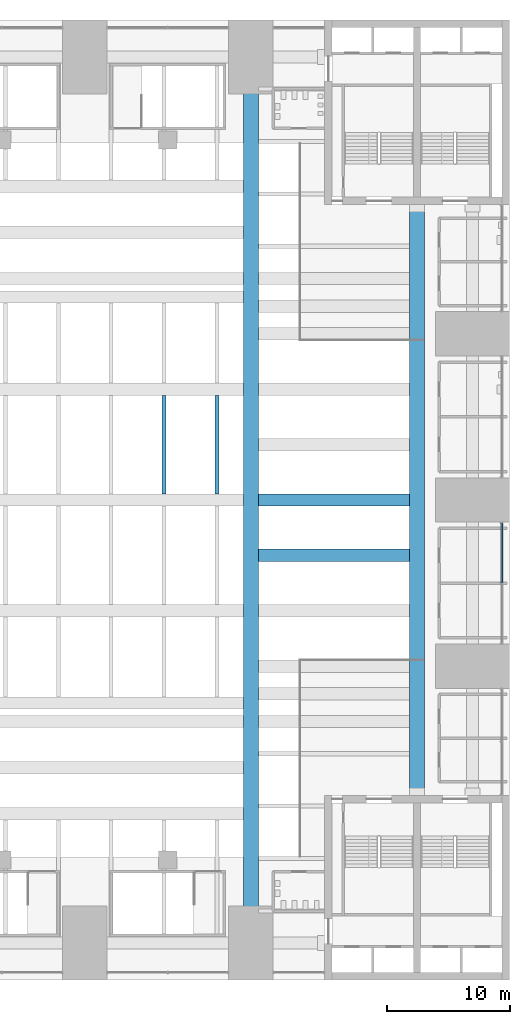
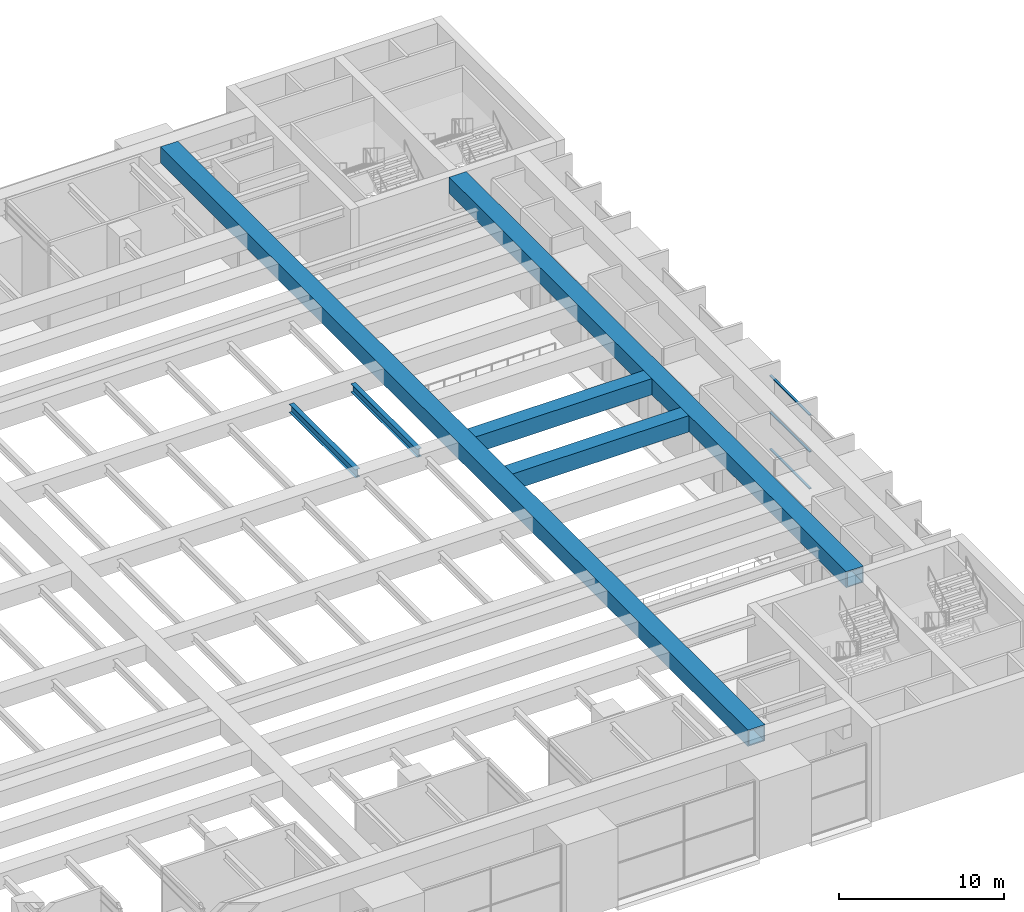
# One storey, part 15 of 45: 7 members, 2 beams, 1 element without a shape of its own.
"""IFC4 building model written with IfcOpenShell, lengths in metres."""

from ifc_helpers import new_model, si_unit, direction, frame, origin, origin_2d, place, context, subcontext, project, spatial, rectangle, hollow_rectangle, i_section, extrude, material, layer, layer_set, material_profile, profile_set, type_object, element, aggregate, save


model = new_model("IFC4")

# Units and contexts
model_context = context("Model", 3, precision=1e-05, world=origin(), true_north=direction((0.0, 1.0)))
body_context = subcontext(model_context, "Body", "Model", "MODEL_VIEW")
ifc_project = project(units=[si_unit("LENGTHUNIT", "METRE"), si_unit("AREAUNIT", "SQUARE_METRE"), si_unit("VOLUMEUNIT", "CUBIC_METRE"), si_unit("PLANEANGLEUNIT", "RADIAN"), si_unit("MASSUNIT", "GRAM", prefix="KILO")], contexts=[model_context])

# Site, building, storey
site_placement = place(None, origin())
site = spatial("IfcSite", under=ifc_project, at=site_placement, CompositionType="ELEMENT")
building_placement = place(site_placement, origin())
building = spatial("IfcBuilding", under=site, at=building_placement, Name="Corbelhall Arena Tower", CompositionType="ELEMENT")
storey_placement = place(building_placement, frame((0.0, 0.0, 37.0)))
storey = spatial("IfcBuildingStorey", under=building, at=storey_placement, Name="L05", CompositionType="ELEMENT", Elevation=37.0)

# Curtain wall, members
ifc_material_1 = material(Name="Aluminium black anodised", Category="aluminium")
ifc_layer = layer(ifc_material_1, 0.239990234375)
ifc_layer_set = layer_set([ifc_layer], Name="EV-CW4 Arena concourse glazing")
curtain_wall_type = type_object("IfcCurtainWallType", Name="EV-CW4 Arena concourse glazing", PredefinedType="NOTDEFINED", material=ifc_layer_set)
curtain_wall_placement = place(storey_placement, origin())
curtain_wall = element("IfcCurtainWall", 1, at=curtain_wall_placement, inside=storey, type_object=curtain_wall_type, Name="Curtain wall CW4", PredefinedType="NOTDEFINED")
ifc_material_profile_1 = material_profile(ifc_material_1, rectangle(XDim=0.14990234375, YDim=0.074951171875, at=origin_2d()))
ifc_profile_set_1 = profile_set([ifc_material_profile_1], Name="Aluminium black anodised")
member_type_1 = type_object("IfcMemberType", Name="EV-CW4-TRANSOM", PredefinedType="USERDEFINED", material=ifc_profile_set_1)
member_1_placement = place(storey_placement, frame((47.3798828125, -6.71240234375, 0.03759765625), z_axis=(0.0, 1.0, 0.0), x_axis=(-1.0, 0.0, 0.0)))
member_1 = element("IfcMember", 2, at=member_1_placement, type_object=member_type_1, Name="CW4 transom 2.1", ObjectType="transom", PredefinedType="USERDEFINED", context=body_context, shape_type="SweptSolid", body=[
    extrude(rectangle(XDim=0.14990234375, YDim=0.074951171875, at=origin_2d()), origin(), (0.0, 0.0, 1.0), 4.83740234375),
])
member_2_placement = place(storey_placement, frame((47.3798828125, -6.71240234375, 2.75), z_axis=(0.0, 1.0, 0.0), x_axis=(-1.0, 0.0, 0.0)))
member_2 = element("IfcMember", 3, at=member_2_placement, type_object=member_type_1, Name="CW4 transom 2.2", ObjectType="transom", PredefinedType="USERDEFINED", context=body_context, shape_type="SweptSolid", body=[
    extrude(rectangle(XDim=0.14990234375, YDim=0.074951171875, at=origin_2d()), origin(), (0.0, 0.0, 1.0), 4.83740234375),
])
member_3_placement = place(storey_placement, frame((47.3798828125, -6.71240234375, 5.46240234375), z_axis=(0.0, 1.0, 0.0), x_axis=(-1.0, 0.0, 0.0)))
member_3 = element("IfcMember", 4, at=member_3_placement, type_object=member_type_1, Name="CW4 transom 2.3", ObjectType="transom", PredefinedType="USERDEFINED", context=body_context, shape_type="SweptSolid", body=[
    extrude(rectangle(XDim=0.14990234375, YDim=0.074951171875, at=origin_2d()), origin(), (0.0, 0.0, 1.0), 4.83740234375),
])
aggregate(curtain_wall, [member_1, member_2, member_3])

# Beams
ifc_material_2 = material(Name="Steel ASTM A992 Gr50", Category="steel")
ifc_material_profile_2 = material_profile(ifc_material_2, i_section(OverallWidth=0.323974609375, OverallDepth=0.611083984375, WebThickness=0.0126953125, FlangeThickness=0.01904296875, at=origin_2d()))
ifc_profile_set_2 = profile_set([ifc_material_profile_2], Name="Steel ASTM A992 Gr50")
beam_type = type_object("IfcBeamType", Name="PO-BEAM-W24X104", PredefinedType="BEAM", material=ifc_profile_set_2)
for number, where, z_axis, x_axis, name in (
    (5, (19.949951171875, 0.5, 6.39453125), (0.0, 1.0, 0.0), (-1.0, 0.0, 0.0), "DECK BEAM BOT 34.5"),
    (6, (24.25, 0.5, 6.39453125), (0.0, 1.0, 0.0), (-1.0, 0.0, 0.0), "DECK BEAM BOT 34.6"),
):
    element("IfcBeam", number, at=place(storey_placement, frame(where, z_axis=z_axis, x_axis=x_axis)), inside=storey, type_object=beam_type, Name=name, PredefinedType="BEAM", context=body_context, shape_type="SweptSolid", body=[
        extrude(i_section(OverallWidth=0.323974609375, OverallDepth=0.611083984375, WebThickness=0.0126953125, FlangeThickness=0.01904296875, at=origin_2d()), origin(), (0.0, 0.0, 1.0), 8.0),
    ])

# Members
ifc_material_3 = material(Name="Steel ASTM A572 Gr50", Category="steel")
ifc_material_profile_3 = material_profile(ifc_material_3, hollow_rectangle(XDim=1.0, YDim=1.199951171875, WallThickness=0.06005859375, at=origin_2d()))
ifc_profile_set_3 = profile_set([ifc_material_profile_3], Name="Steel ASTM A572 Gr50")
member_type_2 = type_object("IfcMemberType", Name="PO-CHORD-1200X1000X60", PredefinedType="CHORD", material=ifc_profile_set_3)
for number, where, z_axis, x_axis, name in (
    (7, (27.60009765625, -4.5, 6.39990234375), (1.0, 0.0, 0.0), (0.0, 1.0, 0.0), "TRUSS SEC-S04.50-3 BOT CHORD"),
    (8, (27.60009765625, 0.0, 6.39990234375), (1.0, 0.0, 0.0), (0.0, 1.0, 0.0), "TRUSS SEC-N00.00-3 BOT CHORD"),
):
    element("IfcMember", number, at=place(storey_placement, frame(where, z_axis=z_axis, x_axis=x_axis)), inside=storey, type_object=member_type_2, Name=name, PredefinedType="CHORD", context=body_context, shape_type="SweptSolid", body=[
        extrude(hollow_rectangle(XDim=1.0, YDim=1.199951171875, WallThickness=0.06005859375, at=origin_2d()), origin(), (0.0, 0.0, 1.0), 12.2998046875),
    ])
ifc_material_profile_4 = material_profile(ifc_material_3, hollow_rectangle(XDim=1.199951171875, YDim=1.199951171875, WallThickness=0.080078125, at=origin_2d()))
ifc_profile_set_4 = profile_set([ifc_material_profile_4], Name="Steel ASTM A572 Gr50")
member_type_3 = type_object("IfcMemberType", Name="PO-CHORD-1200X1200X80", PredefinedType="CHORD", material=ifc_profile_set_4)
member_4_placement = place(storey_placement, frame((27.0, -35.5, 6.39990234375), z_axis=(0.0, 1.0, 0.0), x_axis=(-1.0, 0.0, 0.0)))
element("IfcMember", 9, at=member_4_placement, inside=storey, type_object=member_type_3, Name="TRUSS PRI-+27.0 BOT CHORD", PredefinedType="CHORD", context=body_context, shape_type="SweptSolid", body=[
    extrude(hollow_rectangle(XDim=1.199951171875, YDim=1.199951171875, WallThickness=0.080078125, at=origin_2d()), origin(), (0.0, 0.0, 1.0), 71.0),
])
member_5_placement = place(storey_placement, frame((40.5, -24.0, 6.39990234375), z_axis=(0.0, 1.0, 0.0), x_axis=(-1.0, 0.0, 0.0)))
element("IfcMember", 10, at=member_5_placement, inside=storey, type_object=member_type_3, Name="TRUSS PRI-+40.5 BOT CHORD", PredefinedType="CHORD", context=body_context, shape_type="SweptSolid", body=[
    extrude(hollow_rectangle(XDim=1.199951171875, YDim=1.199951171875, WallThickness=0.080078125, at=origin_2d()), origin(), (0.0, 0.0, 1.0), 48.0),
])

save(model, "model.ifc")
